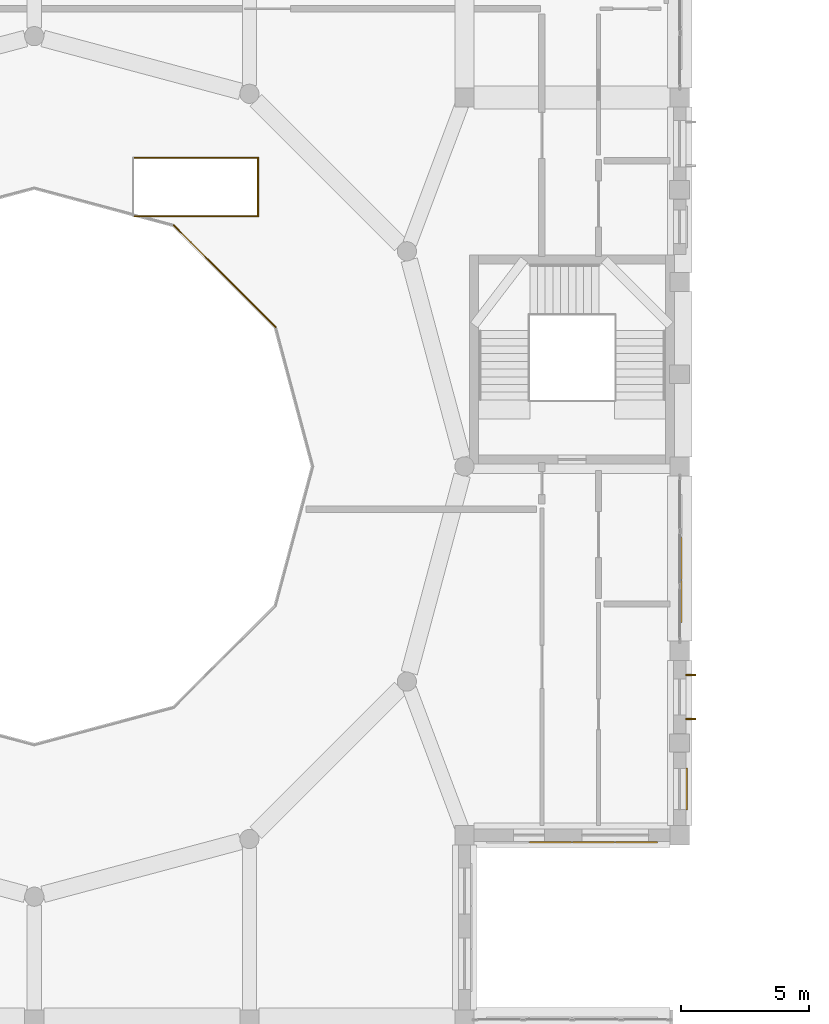
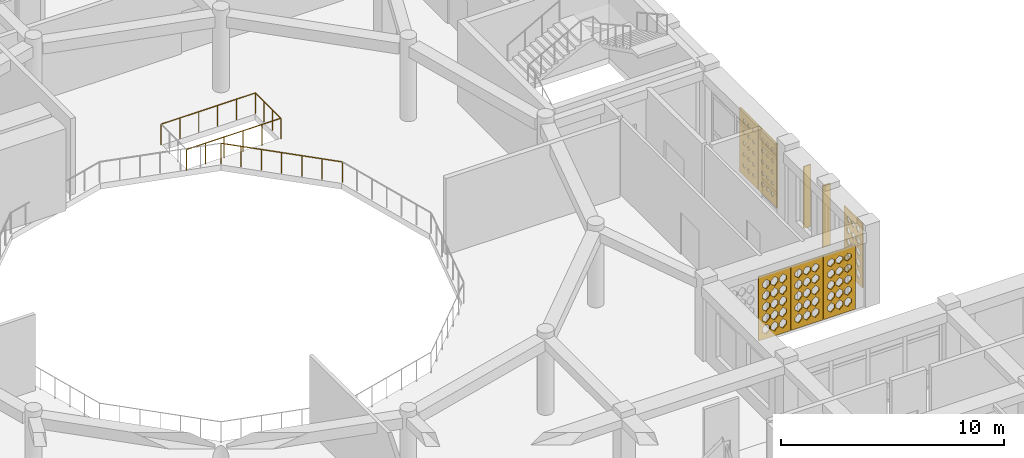
# One storey, part 92 of 111: 6 coverings, 4 railings, 2 shading devices.
"""IFC4 building model written with IfcOpenShell, lengths in metres."""

from ifc_helpers import new_model, si_unit, derived_unit, direction, frame, origin, origin_2d, place, context, subcontext, project, spatial, polyline, rectangle, circle, outline, extrude, material, layer, layer_set, type_object, element, save


model = new_model("IFC4")

# Units and contexts
model_context = context("Model", 3, precision=1e-05, world=origin(), true_north=direction((0.0, 1.0)))
body_context = subcontext(model_context, "Body", "Model", "MODEL_VIEW")
ifc_project = project(units=[si_unit("LENGTHUNIT", "METRE"), si_unit("AREAUNIT", "SQUARE_METRE"), si_unit("VOLUMEUNIT", "CUBIC_METRE"), si_unit("PLANEANGLEUNIT", "RADIAN"), si_unit("MASSUNIT", "GRAM", prefix="KILO"), derived_unit("THERMALTRANSMITTANCEUNIT", [(si_unit("POWERUNIT", "WATT"), 1), (si_unit("LENGTHUNIT", "METRE"), -2), (si_unit("THERMODYNAMICTEMPERATUREUNIT", "KELVIN"), -1)])], contexts=[model_context])

# Site, building, storey
site_placement = place(None, origin())
site = spatial("IfcSite", under=ifc_project, at=site_placement, CompositionType="ELEMENT")
building_placement = place(site_placement, origin())
building = spatial("IfcBuilding", under=site, at=building_placement, Name="Veybourne Emporium", CompositionType="ELEMENT")
storey_placement = place(building_placement, frame((0.0, 0.0, 9.89990234375)))
storey = spatial("IfcBuildingStorey", under=building, at=storey_placement, Name="L02", CompositionType="ELEMENT", Elevation=9.89990234375)

# Railings
ifc_material_1 = material(Name="Patinated Architectural Bronze", Category="bronze")
railing_type = type_object("IfcRailingType", Name="Balustrade_BL-01", PredefinedType="BALUSTRADE", material=ifc_material_1)
railing_1_placement = place(storey_placement, frame((85.0224609375, 55.840087890625, 0.0)))
element("IfcRailing", 1, at=railing_1_placement, inside=storey, type_object=railing_type, Name="L02 central atrium void balustrade 02", PredefinedType="BALUSTRADE", context=body_context, shape_type="SweptSolid", body=[
    extrude(circle(Radius=0.02392578125, at=origin_2d()), frame((0.0, 0.0, 1.1259765625), z_axis=(-0.707128455954, 0.707085105755, 0.0), x_axis=(-0.707085105755, -0.707128455954, 0.0)), (0.0, 0.0, 1.0), 5.6318359375),
    extrude(circle(Radius=0.02099609375, at=origin_2d()), origin(), (0.0, 0.0, 1.0), 1.101806640625),
    extrude(circle(Radius=0.02099609375, at=origin_2d()), frame((-0.663818359375, 0.66357421875, 0.0)), (0.0, 0.0, 1.0), 1.101806640625),
    extrude(circle(Radius=0.02099609375, at=origin_2d()), frame((-1.327392578125, 1.327392578125, 0.0)), (0.0, 0.0, 1.0), 1.101806640625),
    extrude(circle(Radius=0.02099609375, at=origin_2d()), frame((-1.9912109375, 1.9912109375, 0.0)), (0.0, 0.0, 1.0), 1.101806640625),
    extrude(circle(Radius=0.02099609375, at=origin_2d()), frame((-2.655029296875, 2.65478515625, 0.0)), (0.0, 0.0, 1.0), 1.101806640625),
    extrude(circle(Radius=0.02099609375, at=origin_2d()), frame((-3.318603515625, 3.318359375, 0.0)), (0.0, 0.0, 1.0), 1.101806640625),
    extrude(circle(Radius=0.02099609375, at=origin_2d()), frame((-3.982421875, 3.982177734375, 0.0)), (0.0, 0.0, 1.0), 1.101806640625),
])
railing_2_placement = place(storey_placement, frame((79.4599609375, 60.171875, 0.0)))
element("IfcRailing", 2, at=railing_2_placement, inside=storey, type_object=railing_type, Name="L02 escalator well balustrade 1.1", PredefinedType="BALUSTRADE", context=body_context, shape_type="SweptSolid", body=[
    extrude(circle(Radius=0.02392578125, at=origin_2d()), frame((0.0, 0.0, 1.1259765625), z_axis=(1.0, 0.0, 0.0), x_axis=(0.0, 1.0, 0.0)), (0.0, 0.0, 1.0), 4.880126953125),
    extrude(circle(Radius=0.02099609375, at=origin_2d()), origin(), (0.0, 0.0, 1.0), 1.101806640625),
    extrude(circle(Radius=0.02099609375, at=origin_2d()), frame((0.97607421875, 0.0, 0.0)), (0.0, 0.0, 1.0), 1.101806640625),
    extrude(circle(Radius=0.02099609375, at=origin_2d()), frame((1.9521484375, 0.0, 0.0)), (0.0, 0.0, 1.0), 1.101806640625),
    extrude(circle(Radius=0.02099609375, at=origin_2d()), frame((2.927978515625, 0.0, 0.0)), (0.0, 0.0, 1.0), 1.101806640625),
    extrude(circle(Radius=0.02099609375, at=origin_2d()), frame((3.904052734375, 0.0, 0.0)), (0.0, 0.0, 1.0), 1.101806640625),
    extrude(circle(Radius=0.02099609375, at=origin_2d()), frame((4.880126953125, 0.0, 0.0)), (0.0, 0.0, 1.0), 1.101806640625),
])
railing_3_placement = place(storey_placement, frame((84.340087890625, 60.171875, 0.0)))
element("IfcRailing", 3, at=railing_3_placement, inside=storey, type_object=railing_type, Name="L02 escalator well balustrade 1.2", PredefinedType="BALUSTRADE", context=body_context, shape_type="SweptSolid", body=[
    extrude(circle(Radius=0.02392578125, at=origin_2d()), frame((0.0, 0.0, 1.1259765625), z_axis=(0.0, 1.0, 0.0), x_axis=(-1.0, 0.0, 0.0)), (0.0, 0.0, 1.0), 2.280029296875),
    extrude(circle(Radius=0.02099609375, at=origin_2d()), origin(), (0.0, 0.0, 1.0), 1.101806640625),
    extrude(circle(Radius=0.02099609375, at=origin_2d()), frame((0.0, 0.760009765625, 0.0)), (0.0, 0.0, 1.0), 1.101806640625),
    extrude(circle(Radius=0.02099609375, at=origin_2d()), frame((0.0, 1.52001953125, 0.0)), (0.0, 0.0, 1.0), 1.101806640625),
    extrude(circle(Radius=0.02099609375, at=origin_2d()), frame((0.0, 2.280029296875, 0.0)), (0.0, 0.0, 1.0), 1.101806640625),
])
railing_4_placement = place(storey_placement, frame((84.340087890625, 62.451904296875, 0.0)))
element("IfcRailing", 4, at=railing_4_placement, inside=storey, type_object=railing_type, Name="L02 escalator well balustrade 1.3", PredefinedType="BALUSTRADE", context=body_context, shape_type="SweptSolid", body=[
    extrude(circle(Radius=0.02392578125, at=origin_2d()), frame((0.0, 0.0, 1.1259765625), z_axis=(-1.0, 0.0, 0.0), x_axis=(0.0, -1.0, 0.0)), (0.0, 0.0, 1.0), 4.880126953125),
    extrude(circle(Radius=0.02099609375, at=origin_2d()), origin(), (0.0, 0.0, 1.0), 1.101806640625),
    extrude(circle(Radius=0.02099609375, at=origin_2d()), frame((-0.97607421875, 0.0, 0.0)), (0.0, 0.0, 1.0), 1.101806640625),
    extrude(circle(Radius=0.02099609375, at=origin_2d()), frame((-1.9521484375, 0.0, 0.0)), (0.0, 0.0, 1.0), 1.101806640625),
    extrude(circle(Radius=0.02099609375, at=origin_2d()), frame((-2.927978515625, 0.0, 0.0)), (0.0, 0.0, 1.0), 1.101806640625),
    extrude(circle(Radius=0.02099609375, at=origin_2d()), frame((-3.904052734375, 0.0, 0.0)), (0.0, 0.0, 1.0), 1.101806640625),
    extrude(circle(Radius=0.02099609375, at=origin_2d()), frame((-4.880126953125, 0.0, 0.0)), (0.0, 0.0, 1.0), 1.101806640625),
])

# Shading devices
shading_device_type = type_object("IfcShadingDeviceType", Name="SolarFin_FIN-01", PredefinedType="USERDEFINED", material=ifc_material_1)
for number, where, z_axis, x_axis, name in (
    (5, (101.22900390625, 42.25390625, 0.125244140625), (0.0, 0.0, 1.0), (0.0, -1.0, 0.0), "L02 bronze brise-soleil fin FIN-01 (50A.1)"),
    (6, (101.22900390625, 40.541015625, 0.125244140625), (0.0, 0.0, 1.0), (0.0, -1.0, 0.0), "L02 bronze brise-soleil fin FIN-01 (50A.2)"),
):
    element("IfcShadingDevice", number, at=place(storey_placement, frame(where, z_axis=z_axis, x_axis=x_axis)), inside=storey, type_object=shading_device_type, Name=name, ObjectType="FIN", PredefinedType="USERDEFINED", context=body_context, shape_type="SweptSolid", body=[
        extrude(rectangle(XDim=0.06494140625, YDim=0.3798828125, at=origin_2d()), origin(), (0.0, 0.0, 1.0), 3.3798828125),
    ])

# Coverings
ifc_material_2 = material(Name="Warm-White Perforated Aluminium Screen Alloy", Category="aluminium")
ifc_layer_1 = layer(ifc_material_2, 0.06005859375)
ifc_layer_set_1 = layer_set([ifc_layer_1], Name="Warm-White Perforated Aluminium Screen Alloy")
covering_type_1 = type_object("IfcCoveringType", Name="WaveScreen_SCR-01", PredefinedType="CLADDING", material=ifc_layer_set_1)
covering_1_placement = place(storey_placement, frame((99.1201171875, 35.701904296875, 1.815185546875), z_axis=(0.0, 1.0, 0.0), x_axis=(-1.0, 0.0, 0.0)))
element("IfcCovering", 7, at=covering_1_placement, inside=storey, type_object=covering_type_1, Name="L02 wave-perforated aluminium screen SCR-01 (49.1)", PredefinedType="CLADDING", context=body_context, shape_type="SweptSolid", body=[
    extrude(outline(polyline([(-0.81982421875, -1.7548828125), (0.81982421875, -1.7548828125), (0.81982421875, 1.7548828125), (-0.81982421875, 1.7548828125), (-0.81982421875, -1.7548828125)]), holes=[polyline([(-0.433349609375, -0.966796875), (-0.2470703125, -1.1337890625), (-0.2470703125, -1.322021484375), (-0.433349609375, -1.4892578125), (-0.61962890625, -1.322021484375), (-0.61962890625, -1.1337890625), (-0.433349609375, -0.966796875)]), polyline([(-0.433349609375, -0.361572265625), (-0.2470703125, -0.523193359375), (-0.2470703125, -0.704833984375), (-0.433349609375, -0.866455078125), (-0.61962890625, -0.704833984375), (-0.61962890625, -0.523193359375), (-0.433349609375, -0.361572265625)]), polyline([(-0.433349609375, 0.241943359375), (-0.2470703125, 0.087158203125), (-0.2470703125, -0.087158203125), (-0.433349609375, -0.241943359375), (-0.61962890625, -0.087158203125), (-0.61962890625, 0.087158203125), (-0.433349609375, 0.241943359375)]), polyline([(-0.433349609375, 0.843994140625), (-0.2470703125, 0.69677734375), (-0.2470703125, 0.53125), (-0.433349609375, 0.384033203125), (-0.61962890625, 0.53125), (-0.61962890625, 0.69677734375), (-0.433349609375, 0.843994140625)]), polyline([(-0.433349609375, 1.44482421875), (-0.2470703125, 1.305908203125), (-0.2470703125, 1.14990234375), (-0.433349609375, 1.01123046875), (-0.61962890625, 1.14990234375), (-0.61962890625, 1.305908203125), (-0.433349609375, 1.44482421875)]), polyline([(0.0, -0.964111328125), (0.186279296875, -1.133056640625), (0.186279296875, -1.322998046875), (0.0, -1.491943359375), (-0.186279296875, -1.322998046875), (-0.186279296875, -1.133056640625), (0.0, -0.964111328125)]), polyline([(0.0, -0.357421875), (0.186279296875, -0.521484375), (0.186279296875, -0.706298828125), (0.0, -0.87060546875), (-0.186279296875, -0.706298828125), (-0.186279296875, -0.521484375), (0.0, -0.357421875)]), polyline([(0.0, 0.246826171875), (0.186279296875, 0.0888671875), (0.186279296875, -0.0888671875), (0.0, -0.246826171875), (-0.186279296875, -0.0888671875), (-0.186279296875, 0.0888671875), (0.0, 0.246826171875)]), polyline([(0.0, 0.849609375), (0.186279296875, 0.69873046875), (0.186279296875, 0.529296875), (0.0, 0.37841796875), (-0.186279296875, 0.529296875), (-0.186279296875, 0.69873046875), (0.0, 0.849609375)]), polyline([(0.0, 1.450927734375), (0.186279296875, 1.30810546875), (0.186279296875, 1.147705078125), (0.0, 1.005126953125), (-0.186279296875, 1.147705078125), (-0.186279296875, 1.30810546875), (0.0, 1.450927734375)]), polyline([(0.433349609375, -0.964111328125), (0.61962890625, -1.133056640625), (0.61962890625, -1.322998046875), (0.433349609375, -1.491943359375), (0.2470703125, -1.322998046875), (0.2470703125, -1.133056640625), (0.433349609375, -0.964111328125)]), polyline([(0.433349609375, -0.353515625), (0.61962890625, -0.520263671875), (0.61962890625, -0.707763671875), (0.433349609375, -0.87451171875), (0.2470703125, -0.707763671875), (0.2470703125, -0.520263671875), (0.433349609375, -0.353515625)]), polyline([(0.433349609375, 0.251708984375), (0.61962890625, 0.090576171875), (0.61962890625, -0.090576171875), (0.433349609375, -0.251708984375), (0.2470703125, -0.090576171875), (0.2470703125, 0.090576171875), (0.433349609375, 0.251708984375)]), polyline([(0.433349609375, 0.85498046875), (0.61962890625, 0.70068359375), (0.61962890625, 0.52734375), (0.433349609375, 0.373046875), (0.2470703125, 0.52734375), (0.2470703125, 0.70068359375), (0.433349609375, 0.85498046875)]), polyline([(0.433349609375, 1.456787109375), (0.61962890625, 1.310302734375), (0.61962890625, 1.1455078125), (0.433349609375, 0.999267578125), (0.2470703125, 1.1455078125), (0.2470703125, 1.310302734375), (0.433349609375, 1.456787109375)])]), origin(), (0.0, 0.0, 1.0), 0.06005859375),
])
covering_2_placement = place(storey_placement, frame((100.89404296875, 45.1201171875, 1.815185546875), z_axis=(-1.0, 0.0, 0.0), x_axis=(0.0, -1.0, 0.0)))
element("IfcCovering", 8, at=covering_2_placement, inside=storey, type_object=covering_type_1, Name="L02 wave-perforated aluminium screen SCR-01 (51C.3)", PredefinedType="CLADDING", context=body_context, shape_type="SweptSolid", body=[
    extrude(outline(polyline([(-0.81982421875, -1.7548828125), (0.81982421875, -1.7548828125), (0.81982421875, 1.7548828125), (-0.81982421875, 1.7548828125), (-0.81982421875, -1.7548828125)]), holes=[polyline([(-0.433349609375, -1.105712890625), (-0.3232421875, -1.18408203125), (-0.3232421875, -1.27197265625), (-0.433349609375, -1.350341796875), (-0.54345703125, -1.27197265625), (-0.54345703125, -1.18408203125), (-0.433349609375, -1.105712890625)]), polyline([(-0.433349609375, -0.498046875), (-0.32861328125, -0.572265625), (-0.32861328125, -0.65576171875), (-0.433349609375, -0.72998046875), (-0.5380859375, -0.65576171875), (-0.5380859375, -0.572265625), (-0.433349609375, -0.498046875)]), polyline([(-0.433349609375, 0.11181640625), (-0.331787109375, 0.040283203125), (-0.331787109375, -0.040283203125), (-0.433349609375, -0.11181640625), (-0.534912109375, -0.040283203125), (-0.534912109375, 0.040283203125), (-0.433349609375, 0.11181640625)]), polyline([(-0.433349609375, 0.72412109375), (-0.333251953125, 0.653564453125), (-0.333251953125, 0.574462890625), (-0.433349609375, 0.50390625), (-0.533447265625, 0.574462890625), (-0.533447265625, 0.653564453125), (-0.433349609375, 0.72412109375)]), polyline([(-0.433349609375, 1.338623046875), (-0.332763671875, 1.267822265625), (-0.332763671875, 1.18798828125), (-0.433349609375, 1.1171875), (-0.533935546875, 1.18798828125), (-0.533935546875, 1.267822265625), (-0.433349609375, 1.338623046875)]), polyline([(0.0, -1.10205078125), (0.113037109375, -1.1826171875), (0.113037109375, -1.273193359375), (0.0, -1.35400390625), (-0.113037109375, -1.273193359375), (-0.113037109375, -1.1826171875), (0.0, -1.10205078125)]), polyline([(0.0, -0.495361328125), (0.10693359375, -0.5712890625), (0.10693359375, -0.65673828125), (0.0, -0.732666015625), (-0.10693359375, -0.65673828125), (-0.10693359375, -0.5712890625), (0.0, -0.495361328125)]), polyline([(0.0, 0.11328125), (0.102783203125, 0.040771484375), (0.102783203125, -0.040771484375), (0.0, -0.11328125), (-0.102783203125, -0.040771484375), (-0.102783203125, 0.040771484375), (0.0, 0.11328125)]), polyline([(0.0, 0.724609375), (0.1005859375, 0.65380859375), (0.1005859375, 0.57421875), (0.0, 0.50341796875), (-0.1005859375, 0.57421875), (-0.1005859375, 0.65380859375), (0.0, 0.724609375)]), polyline([(0.0, 1.338134765625), (0.10009765625, 1.267578125), (0.10009765625, 1.1884765625), (0.0, 1.117919921875), (-0.10009765625, 1.1884765625), (-0.10009765625, 1.267578125), (0.0, 1.338134765625)]), polyline([(0.433349609375, -1.09814453125), (0.549560546875, -1.18115234375), (0.549560546875, -1.27490234375), (0.433349609375, -1.35791015625), (0.31689453125, -1.27490234375), (0.31689453125, -1.18115234375), (0.433349609375, -1.09814453125)]), polyline([(0.433349609375, -0.492431640625), (0.54296875, -0.5703125), (0.54296875, -0.65771484375), (0.433349609375, -0.735595703125), (0.32373046875, -0.65771484375), (0.32373046875, -0.5703125), (0.433349609375, -0.492431640625)]), polyline([(0.433349609375, 0.115478515625), (0.537841796875, 0.04150390625), (0.537841796875, -0.04150390625), (0.433349609375, -0.115478515625), (0.328857421875, -0.04150390625), (0.328857421875, 0.04150390625), (0.433349609375, 0.115478515625)]), polyline([(0.433349609375, 0.7255859375), (0.53466796875, 0.654296875), (0.53466796875, 0.57373046875), (0.433349609375, 0.50244140625), (0.33203125, 0.57373046875), (0.33203125, 0.654296875), (0.433349609375, 0.7255859375)]), polyline([(0.433349609375, 1.337890625), (0.533203125, 1.267578125), (0.533203125, 1.1884765625), (0.433349609375, 1.117919921875), (0.333251953125, 1.1884765625), (0.333251953125, 1.267578125), (0.433349609375, 1.337890625)])]), origin(), (0.0, 0.0, 1.0), 0.06005859375),
])
ifc_layer_2 = layer(ifc_material_2, 0.06005859375)
ifc_layer_set_2 = layer_set([ifc_layer_2], Name="Warm-White Perforated Aluminium Screen Alloy")
covering_type_2 = type_object("IfcCoveringType", Name="WaveScreen_SCR-02", PredefinedType="CLADDING", material=ifc_layer_set_2)
covering_3_placement = place(storey_placement, frame((97.43994140625, 35.701904296875, 1.815185546875), z_axis=(0.0, 1.0, 0.0), x_axis=(-1.0, 0.0, 0.0)))
element("IfcCovering", 9, at=covering_3_placement, inside=storey, type_object=covering_type_2, Name="L02 wave-perforated aluminium screen SCR-02 (49.2)", PredefinedType="CLADDING", context=body_context, shape_type="SweptSolid", body=[
    extrude(outline(polyline([(-0.81982421875, -1.7548828125), (0.81982421875, -1.7548828125), (0.81982421875, 1.7548828125), (-0.81982421875, 1.7548828125), (-0.81982421875, -1.7548828125)]), holes=[polyline([(-0.433349609375, -0.964111328125), (-0.2470703125, -1.133056640625), (-0.2470703125, -1.322998046875), (-0.433349609375, -1.491943359375), (-0.61962890625, -1.322998046875), (-0.61962890625, -1.133056640625), (-0.433349609375, -0.964111328125)]), polyline([(-0.433349609375, -0.35009765625), (-0.2470703125, -0.51904296875), (-0.2470703125, -0.708984375), (-0.433349609375, -0.8779296875), (-0.61962890625, -0.708984375), (-0.61962890625, -0.51904296875), (-0.433349609375, -0.35009765625)]), polyline([(-0.433349609375, 0.259521484375), (-0.2470703125, 0.093505859375), (-0.2470703125, -0.093505859375), (-0.433349609375, -0.259521484375), (-0.61962890625, -0.093505859375), (-0.61962890625, 0.093505859375), (-0.433349609375, 0.259521484375)]), polyline([(-0.433349609375, 0.864013671875), (-0.2470703125, 0.7041015625), (-0.2470703125, 0.52392578125), (-0.433349609375, 0.364013671875), (-0.61962890625, 0.52392578125), (-0.61962890625, 0.7041015625), (-0.433349609375, 0.864013671875)]), polyline([(-0.433349609375, 1.46728515625), (-0.2470703125, 1.314208984375), (-0.2470703125, 1.141845703125), (-0.433349609375, 0.98876953125), (-0.61962890625, 1.141845703125), (-0.61962890625, 1.314208984375), (-0.433349609375, 1.46728515625)]), polyline([(0.0, -0.964111328125), (0.186279296875, -1.133056640625), (0.186279296875, -1.322998046875), (0.0, -1.491943359375), (-0.186279296875, -1.322998046875), (-0.186279296875, -1.133056640625), (0.0, -0.964111328125)]), polyline([(0.0, -0.35009765625), (0.186279296875, -0.51904296875), (0.186279296875, -0.708984375), (0.0, -0.8779296875), (-0.186279296875, -0.708984375), (-0.186279296875, -0.51904296875), (0.0, -0.35009765625)]), polyline([(0.0, 0.262939453125), (0.186279296875, 0.0947265625), (0.186279296875, -0.0947265625), (0.0, -0.262939453125), (-0.186279296875, -0.0947265625), (-0.186279296875, 0.0947265625), (0.0, 0.262939453125)]), polyline([(0.0, 0.868408203125), (0.186279296875, 0.70556640625), (0.186279296875, 0.5224609375), (0.0, 0.359619140625), (-0.186279296875, 0.5224609375), (-0.186279296875, 0.70556640625), (0.0, 0.868408203125)]), polyline([(0.0, 1.472412109375), (0.186279296875, 1.31591796875), (0.186279296875, 1.139892578125), (0.0, 0.983642578125), (-0.186279296875, 1.139892578125), (-0.186279296875, 1.31591796875), (0.0, 1.472412109375)]), polyline([(0.433349609375, -0.964111328125), (0.61962890625, -1.133056640625), (0.61962890625, -1.322998046875), (0.433349609375, -1.491943359375), (0.2470703125, -1.322998046875), (0.2470703125, -1.133056640625), (0.433349609375, -0.964111328125)]), polyline([(0.433349609375, -0.35009765625), (0.61962890625, -0.51904296875), (0.61962890625, -0.708984375), (0.433349609375, -0.8779296875), (0.2470703125, -0.708984375), (0.2470703125, -0.51904296875), (0.433349609375, -0.35009765625)]), polyline([(0.433349609375, 0.263916015625), (0.61962890625, 0.094970703125), (0.61962890625, -0.094970703125), (0.433349609375, -0.263916015625), (0.2470703125, -0.094970703125), (0.2470703125, 0.094970703125), (0.433349609375, 0.263916015625)]), polyline([(0.433349609375, 0.87255859375), (0.61962890625, 0.70703125), (0.61962890625, 0.52099609375), (0.433349609375, 0.35546875), (0.2470703125, 0.52099609375), (0.2470703125, 0.70703125), (0.433349609375, 0.87255859375)]), polyline([(0.433349609375, 1.477294921875), (0.61962890625, 1.317626953125), (0.61962890625, 1.13818359375), (0.433349609375, 0.978759765625), (0.2470703125, 1.13818359375), (0.2470703125, 1.317626953125), (0.433349609375, 1.477294921875)])]), origin(), (0.0, 0.0, 1.0), 0.06005859375),
])
covering_4_placement = place(storey_placement, frame((101.09814453125, 37.802490234375, 1.815185546875), z_axis=(-1.0, 0.0, 0.0), x_axis=(0.0, -1.0, 0.0)))
element("IfcCovering", 10, at=covering_4_placement, inside=storey, type_object=covering_type_2, Name="L02 wave-perforated aluminium screen SCR-02 (50B.1)", PredefinedType="CLADDING", context=body_context, shape_type="SweptSolid", body=[
    extrude(outline(polyline([(-0.81982421875, -1.7548828125), (0.81982421875, -1.7548828125), (0.81982421875, 1.7548828125), (-0.81982421875, 1.7548828125), (-0.81982421875, -1.7548828125)]), holes=[polyline([(-0.433349609375, -1.013916015625), (-0.248291015625, -1.15087890625), (-0.248291015625, -1.304931640625), (-0.433349609375, -1.44189453125), (-0.618408203125, -1.304931640625), (-0.618408203125, -1.15087890625), (-0.433349609375, -1.013916015625)]), polyline([(-0.433349609375, -0.4140625), (-0.259765625, -0.5419921875), (-0.259765625, -0.68603515625), (-0.433349609375, -0.81396484375), (-0.60693359375, -0.68603515625), (-0.60693359375, -0.5419921875), (-0.433349609375, -0.4140625)]), polyline([(-0.433349609375, 0.185791015625), (-0.271240234375, 0.06689453125), (-0.271240234375, -0.06689453125), (-0.433349609375, -0.185791015625), (-0.595458984375, -0.06689453125), (-0.595458984375, 0.06689453125), (-0.433349609375, 0.185791015625)]), polyline([(-0.433349609375, 0.785888671875), (-0.28271484375, 0.67578125), (-0.28271484375, 0.552001953125), (-0.433349609375, 0.442138671875), (-0.583984375, 0.552001953125), (-0.583984375, 0.67578125), (-0.433349609375, 0.785888671875)]), polyline([(-0.433349609375, 1.386474609375), (-0.293701171875, 1.28515625), (-0.293701171875, 1.1708984375), (-0.433349609375, 1.069580078125), (-0.572998046875, 1.1708984375), (-0.572998046875, 1.28515625), (-0.433349609375, 1.386474609375)]), polyline([(0.0, -1.0078125), (0.186279296875, -1.148681640625), (0.186279296875, -1.30712890625), (0.0, -1.447998046875), (-0.186279296875, -1.30712890625), (-0.186279296875, -1.148681640625), (0.0, -1.0078125)]), polyline([(0.0, -0.40771484375), (0.178955078125, -0.539794921875), (0.178955078125, -0.688232421875), (0.0, -0.8203125), (-0.178955078125, -0.688232421875), (-0.178955078125, -0.539794921875), (0.0, -0.40771484375)]), polyline([(0.0, 0.1923828125), (0.167236328125, 0.069091796875), (0.167236328125, -0.069091796875), (0.0, -0.1923828125), (-0.167236328125, -0.069091796875), (-0.167236328125, 0.069091796875), (0.0, 0.1923828125)]), polyline([(0.0, 0.792236328125), (0.15576171875, 0.677978515625), (0.15576171875, 0.5498046875), (0.0, 0.435791015625), (-0.15576171875, 0.5498046875), (-0.15576171875, 0.677978515625), (0.0, 0.792236328125)]), polyline([(0.0, 1.392578125), (0.14453125, 1.287109375), (0.14453125, 1.168701171875), (0.0, 1.0634765625), (-0.14453125, 1.168701171875), (-0.14453125, 1.287109375), (0.0, 1.392578125)]), polyline([(0.433349609375, -1.001953125), (0.61962890625, -1.146484375), (0.61962890625, -1.309326171875), (0.433349609375, -1.4541015625), (0.2470703125, -1.309326171875), (0.2470703125, -1.146484375), (0.433349609375, -1.001953125)]), polyline([(0.433349609375, -0.4013671875), (0.617431640625, -0.537353515625), (0.617431640625, -0.690673828125), (0.433349609375, -0.82666015625), (0.249267578125, -0.690673828125), (0.249267578125, -0.537353515625), (0.433349609375, -0.4013671875)]), polyline([(0.433349609375, 0.19873046875), (0.60595703125, 0.071533203125), (0.60595703125, -0.071533203125), (0.433349609375, -0.19873046875), (0.2607421875, -0.071533203125), (0.2607421875, 0.071533203125), (0.433349609375, 0.19873046875)]), polyline([(0.433349609375, 0.798583984375), (0.59423828125, 0.680419921875), (0.59423828125, 0.547607421875), (0.433349609375, 0.429443359375), (0.272216796875, 0.547607421875), (0.272216796875, 0.680419921875), (0.433349609375, 0.798583984375)]), polyline([(0.433349609375, 1.398681640625), (0.5830078125, 1.289306640625), (0.5830078125, 1.16650390625), (0.433349609375, 1.057373046875), (0.28369140625, 1.16650390625), (0.28369140625, 1.289306640625), (0.433349609375, 1.398681640625)])]), origin(), (0.0, 0.0, 1.0), 0.06005859375),
])
ifc_layer_3 = layer(ifc_material_2, 0.06005859375)
ifc_layer_set_3 = layer_set([ifc_layer_3], Name="Warm-White Perforated Aluminium Screen Alloy")
covering_type_3 = type_object("IfcCoveringType", Name="WaveScreen_SCR-03", PredefinedType="CLADDING", material=ifc_layer_set_3)
covering_5_placement = place(storey_placement, frame((95.760009765625, 35.701904296875, 1.815185546875), z_axis=(0.0, 1.0, 0.0), x_axis=(-1.0, 0.0, 0.0)))
element("IfcCovering", 11, at=covering_5_placement, inside=storey, type_object=covering_type_3, Name="L02 wave-perforated aluminium screen SCR-03 (49.3)", PredefinedType="CLADDING", context=body_context, shape_type="SweptSolid", body=[
    extrude(outline(polyline([(-0.81982421875, -1.7548828125), (0.81982421875, -1.7548828125), (0.81982421875, 1.7548828125), (-0.81982421875, 1.7548828125), (-0.81982421875, -1.7548828125)]), holes=[polyline([(-0.433349609375, -0.964111328125), (-0.2470703125, -1.133056640625), (-0.2470703125, -1.322998046875), (-0.433349609375, -1.491943359375), (-0.61962890625, -1.322998046875), (-0.61962890625, -1.133056640625), (-0.433349609375, -0.964111328125)]), polyline([(-0.433349609375, -0.35009765625), (-0.2470703125, -0.51904296875), (-0.2470703125, -0.708984375), (-0.433349609375, -0.8779296875), (-0.61962890625, -0.708984375), (-0.61962890625, -0.51904296875), (-0.433349609375, -0.35009765625)]), polyline([(-0.433349609375, 0.263916015625), (-0.2470703125, 0.094970703125), (-0.2470703125, -0.094970703125), (-0.433349609375, -0.263916015625), (-0.61962890625, -0.094970703125), (-0.61962890625, 0.094970703125), (-0.433349609375, 0.263916015625)]), polyline([(-0.433349609375, 0.8779296875), (-0.2470703125, 0.708984375), (-0.2470703125, 0.51904296875), (-0.433349609375, 0.35009765625), (-0.61962890625, 0.51904296875), (-0.61962890625, 0.708984375), (-0.433349609375, 0.8779296875)]), polyline([(-0.433349609375, 1.4853515625), (-0.2470703125, 1.320556640625), (-0.2470703125, 1.135498046875), (-0.433349609375, 0.970703125), (-0.61962890625, 1.135498046875), (-0.61962890625, 1.320556640625), (-0.433349609375, 1.4853515625)]), polyline([(0.0, -0.964111328125), (0.186279296875, -1.133056640625), (0.186279296875, -1.322998046875), (0.0, -1.491943359375), (-0.186279296875, -1.322998046875), (-0.186279296875, -1.133056640625), (0.0, -0.964111328125)]), polyline([(0.0, -0.35009765625), (0.186279296875, -0.51904296875), (0.186279296875, -0.708984375), (0.0, -0.8779296875), (-0.186279296875, -0.708984375), (-0.186279296875, -0.51904296875), (0.0, -0.35009765625)]), polyline([(0.0, 0.263916015625), (0.186279296875, 0.094970703125), (0.186279296875, -0.094970703125), (0.0, -0.263916015625), (-0.186279296875, -0.094970703125), (-0.186279296875, 0.094970703125), (0.0, 0.263916015625)]), polyline([(0.0, 0.8779296875), (0.186279296875, 0.708984375), (0.186279296875, 0.51904296875), (0.0, 0.35009765625), (-0.186279296875, 0.51904296875), (-0.186279296875, 0.708984375), (0.0, 0.8779296875)]), polyline([(0.0, 1.489013671875), (0.186279296875, 1.322021484375), (0.186279296875, 1.134033203125), (0.0, 0.966796875), (-0.186279296875, 1.134033203125), (-0.186279296875, 1.322021484375), (0.0, 1.489013671875)]), polyline([(0.433349609375, -0.964111328125), (0.61962890625, -1.133056640625), (0.61962890625, -1.322998046875), (0.433349609375, -1.491943359375), (0.2470703125, -1.322998046875), (0.2470703125, -1.133056640625), (0.433349609375, -0.964111328125)]), polyline([(0.433349609375, -0.35009765625), (0.61962890625, -0.51904296875), (0.61962890625, -0.708984375), (0.433349609375, -0.8779296875), (0.2470703125, -0.708984375), (0.2470703125, -0.51904296875), (0.433349609375, -0.35009765625)]), polyline([(0.433349609375, 0.263916015625), (0.61962890625, 0.094970703125), (0.61962890625, -0.094970703125), (0.433349609375, -0.263916015625), (0.2470703125, -0.094970703125), (0.2470703125, 0.094970703125), (0.433349609375, 0.263916015625)]), polyline([(0.433349609375, 0.8779296875), (0.61962890625, 0.708984375), (0.61962890625, 0.51904296875), (0.433349609375, 0.35009765625), (0.2470703125, 0.51904296875), (0.2470703125, 0.708984375), (0.433349609375, 0.8779296875)]), polyline([(0.433349609375, 1.491943359375), (0.61962890625, 1.322998046875), (0.61962890625, 1.133056640625), (0.433349609375, 0.964111328125), (0.2470703125, 1.133056640625), (0.2470703125, 1.322998046875), (0.433349609375, 1.491943359375)])]), origin(), (0.0, 0.0, 1.0), 0.06005859375),
])
ifc_layer_4 = layer(ifc_material_2, 0.06005859375)
ifc_layer_set_4 = layer_set([ifc_layer_4], Name="Warm-White Perforated Aluminium Screen Alloy")
covering_type_4 = type_object("IfcCoveringType", Name="WaveScreen_SCR-04", PredefinedType="CLADDING", material=ifc_layer_set_4)
covering_6_placement = place(storey_placement, frame((100.89404296875, 46.800048828125, 1.815185546875), z_axis=(-1.0, 0.0, 0.0), x_axis=(0.0, -1.0, 0.0)))
element("IfcCovering", 12, at=covering_6_placement, inside=storey, type_object=covering_type_4, Name="L02 wave-perforated aluminium screen SCR-04 (51C.2)", PredefinedType="CLADDING", context=body_context, shape_type="SweptSolid", body=[
    extrude(outline(polyline([(-0.81982421875, -1.7548828125), (0.81982421875, -1.7548828125), (0.81982421875, 1.7548828125), (-0.81982421875, 1.7548828125), (-0.81982421875, -1.7548828125)]), holes=[polyline([(-0.433349609375, -1.115478515625), (-0.331298828125, -1.1875), (-0.331298828125, -1.2685546875), (-0.433349609375, -1.340576171875), (-0.535400390625, -1.2685546875), (-0.535400390625, -1.1875), (-0.433349609375, -1.115478515625)]), polyline([(-0.433349609375, -0.503662109375), (-0.3330078125, -0.57421875), (-0.3330078125, -0.65380859375), (-0.433349609375, -0.724365234375), (-0.533447265625, -0.65380859375), (-0.533447265625, -0.57421875), (-0.433349609375, -0.503662109375)]), polyline([(-0.433349609375, 0.1103515625), (-0.3330078125, 0.039794921875), (-0.3330078125, -0.039794921875), (-0.433349609375, -0.1103515625), (-0.53369140625, -0.039794921875), (-0.53369140625, 0.039794921875), (-0.433349609375, 0.1103515625)]), polyline([(-0.433349609375, 0.726806640625), (-0.3310546875, 0.654541015625), (-0.3310546875, 0.573486328125), (-0.433349609375, 0.501220703125), (-0.53564453125, 0.573486328125), (-0.53564453125, 0.654541015625), (-0.433349609375, 0.726806640625)]), polyline([(-0.433349609375, 1.345703125), (-0.326904296875, 1.2705078125), (-0.326904296875, 1.185546875), (-0.433349609375, 1.1103515625), (-0.539794921875, 1.185546875), (-0.539794921875, 1.2705078125), (-0.433349609375, 1.345703125)]), polyline([(0.0, -1.113525390625), (0.103515625, -1.186767578125), (0.103515625, -1.269287109375), (0.0, -1.34228515625), (-0.103515625, -1.269287109375), (-0.103515625, -1.186767578125), (0.0, -1.113525390625)]), polyline([(0.0, -0.5029296875), (0.100830078125, -0.573974609375), (0.100830078125, -0.654052734375), (0.0, -0.72509765625), (-0.100830078125, -0.654052734375), (-0.100830078125, -0.573974609375), (0.0, -0.5029296875)]), polyline([(0.0, 0.110107421875), (0.10009765625, 0.03955078125), (0.10009765625, -0.03955078125), (0.0, -0.110107421875), (-0.10009765625, -0.03955078125), (-0.10009765625, 0.03955078125), (0.0, 0.110107421875)]), polyline([(0.0, 0.725341796875), (0.101318359375, 0.654052734375), (0.101318359375, 0.573974609375), (0.0, 0.502685546875), (-0.101318359375, 0.573974609375), (-0.101318359375, 0.654052734375), (0.0, 0.725341796875)]), polyline([(0.0, 1.34326171875), (0.104248046875, 1.26953125), (0.104248046875, 1.1865234375), (0.0, 1.11279296875), (-0.104248046875, 1.1865234375), (-0.104248046875, 1.26953125), (0.0, 1.34326171875)]), polyline([(0.433349609375, -1.111328125), (0.538818359375, -1.18603515625), (0.538818359375, -1.27001953125), (0.433349609375, -1.3447265625), (0.327880859375, -1.27001953125), (0.327880859375, -1.18603515625), (0.433349609375, -1.111328125)]), polyline([(0.433349609375, -0.501708984375), (0.53515625, -0.573486328125), (0.53515625, -0.654296875), (0.433349609375, -0.726318359375), (0.33154296875, -0.654296875), (0.33154296875, -0.573486328125), (0.433349609375, -0.501708984375)]), polyline([(0.433349609375, 0.110107421875), (0.533447265625, 0.039794921875), (0.533447265625, -0.039794921875), (0.433349609375, -0.110107421875), (0.333251953125, -0.039794921875), (0.333251953125, 0.039794921875), (0.433349609375, 0.110107421875)]), polyline([(0.433349609375, 0.724609375), (0.53369140625, 0.65380859375), (0.53369140625, 0.57421875), (0.433349609375, 0.50341796875), (0.3330078125, 0.57421875), (0.3330078125, 0.65380859375), (0.433349609375, 0.724609375)]), polyline([(0.433349609375, 1.34130859375), (0.535888671875, 1.268798828125), (0.535888671875, 1.187255859375), (0.433349609375, 1.11474609375), (0.330810546875, 1.187255859375), (0.330810546875, 1.268798828125), (0.433349609375, 1.34130859375)])]), origin(), (0.0, 0.0, 1.0), 0.06005859375),
])

save(model, "model.ifc")
